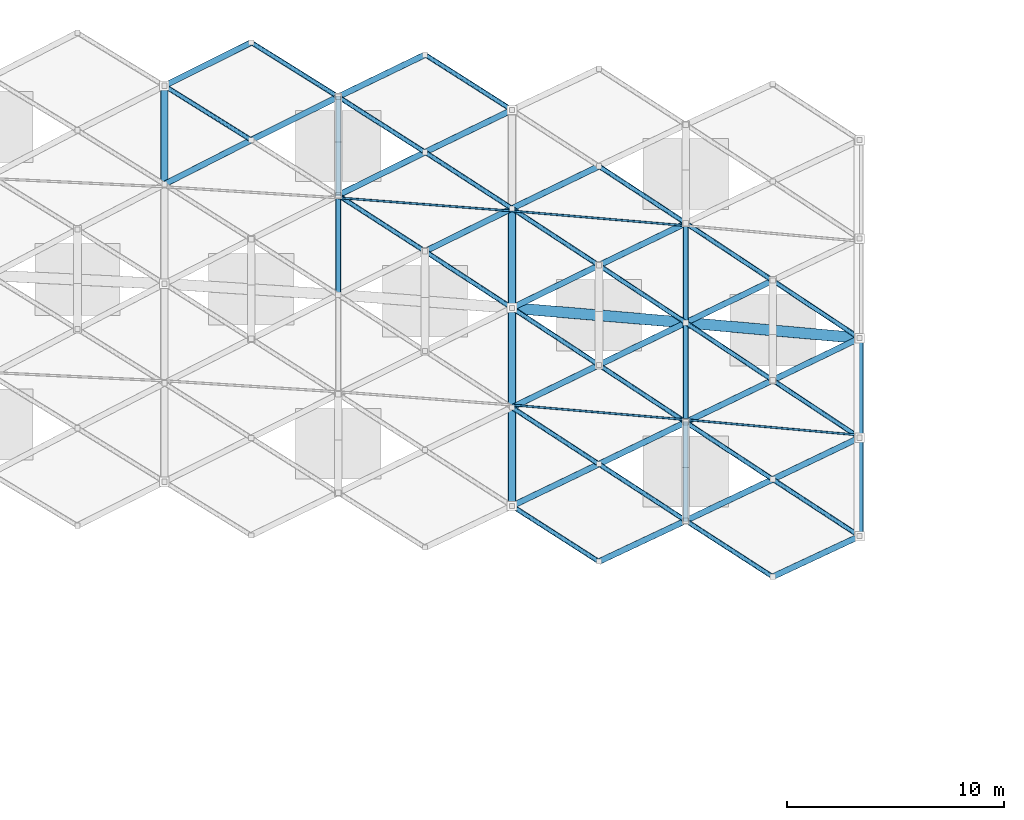
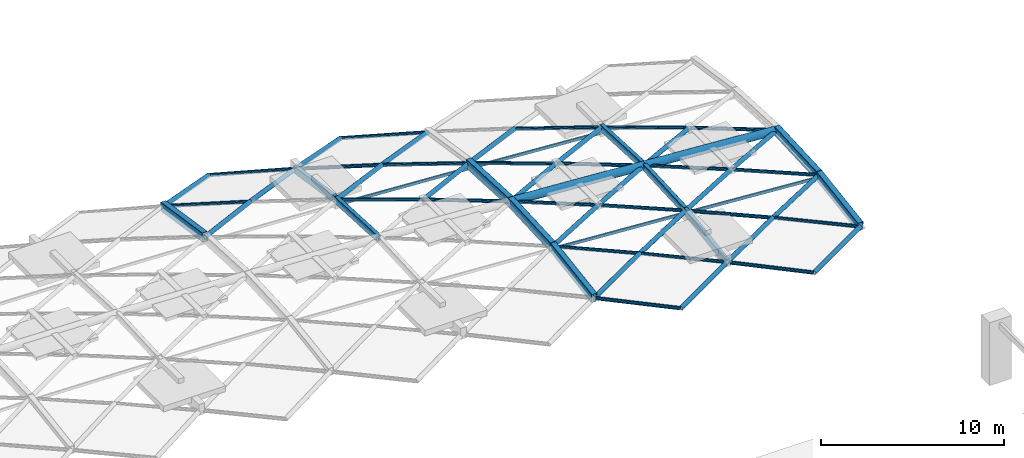
# One storey, part 7 of 27: 49 members, 11 beams.
"""IFC4 building model written with IfcOpenShell, lengths in metres."""

from ifc_helpers import new_model, si_unit, direction, frame, origin, origin_2d, place, context, subcontext, project, spatial, hollow_rectangle, hollow_circle, extrude, material, material_profile, profile_set, type_object, element, save


model = new_model("IFC4")

# Units and contexts
model_context = context("Model", 3, precision=1e-05, world=origin(), true_north=direction((0.0, 1.0)))
body_context = subcontext(model_context, "Body", "Model", "MODEL_VIEW")
ifc_project = project(units=[si_unit("LENGTHUNIT", "METRE"), si_unit("AREAUNIT", "SQUARE_METRE"), si_unit("VOLUMEUNIT", "CUBIC_METRE"), si_unit("PLANEANGLEUNIT", "RADIAN"), si_unit("MASSUNIT", "GRAM", prefix="KILO")], contexts=[model_context])

# Site, building, storey
site_placement = place(None, origin())
site = spatial("IfcSite", under=ifc_project, at=site_placement, CompositionType="ELEMENT")
building_placement = place(site_placement, origin())
building = spatial("IfcBuilding", under=site, at=building_placement, Name="Kenh Van Central Station", CompositionType="ELEMENT")
storey_placement = place(building_placement, frame((0.0, 0.0, 19.199951171875)))
storey = spatial("IfcBuildingStorey", under=building, at=storey_placement, Name="L04", CompositionType="ELEMENT", Elevation=19.199951171875)

# Beams
ifc_material = material(Name="White fluoropolymer structural steel S355", Category="steel")
ifc_material_profile_1 = material_profile(ifc_material, hollow_rectangle(XDim=0.35009765625, YDim=0.60009765625, WallThickness=0.01611328125, InnerFilletRadius=0.01611328125, OuterFilletRadius=0.031982421875, at=origin_2d()), Name="RHS 600x350x16")
ifc_profile_set_1 = profile_set([ifc_material_profile_1], Name="White fluoropolymer structural steel S355")
beam_type_1 = type_object("IfcBeamType", Name="BM-VAULT-ARCH600", PredefinedType="BEAM", material=ifc_profile_set_1)
for number, where, z_axis, x_axis, name in (
    (1, (112.0, 95.08203125, 1.7744140625), (0.0, 0.988526901782, -0.151044908728), (-1.0, 0.0, 0.0), "Vault transverse arch 125"),
    (2, (128.0, 80.275390625, 1.081787109375), (0.0, 0.988525687015, 0.15105285867), (-1.0, 0.0, 0.0), "Vault transverse arch 146"),
):
    element("IfcBeam", number, at=place(storey_placement, frame(where, z_axis=z_axis, x_axis=x_axis)), inside=storey, type_object=beam_type_1, Name=name, PredefinedType="BEAM", context=body_context, shape_type="SweptSolid", body=[
        extrude(hollow_rectangle(XDim=0.35009765625, YDim=0.60009765625, WallThickness=0.01611328125, InnerFilletRadius=0.01611328125, OuterFilletRadius=0.031982421875, at=origin_2d()), origin(), (0.0, 0.0, 1.0), 4.58544921875),
    ])
beam_1_placement = place(storey_placement, frame((128.0, 84.80810546875, 1.7744140625), z_axis=(0.0, 0.998789366283, 0.049191480968), x_axis=(-1.0, 0.0, 0.0)))
element("IfcBeam", 3, at=beam_1_placement, inside=storey, type_object=beam_type_1, Name="Vault transverse arch 147", PredefinedType="BEAM", context=body_context, shape_type="SweptSolid", body=[
    extrude(hollow_rectangle(XDim=0.35009765625, YDim=0.60009765625, WallThickness=0.01611328125, InnerFilletRadius=0.01611328125, OuterFilletRadius=0.031982421875, at=origin_2d()), origin(), (0.0, 0.0, 1.0), 4.5859375),
])
beam_2_placement = place(storey_placement, frame((128.0, 89.388427734375, 2.0), z_axis=(0.0, 0.998789237449, -0.04919409677), x_axis=(-1.0, 0.0, 0.0)))
element("IfcBeam", 4, at=beam_2_placement, inside=storey, type_object=beam_type_1, Name="Vault transverse arch 148", PredefinedType="BEAM", context=body_context, shape_type="SweptSolid", body=[
    extrude(hollow_rectangle(XDim=0.35009765625, YDim=0.60009765625, WallThickness=0.01611328125, InnerFilletRadius=0.01611328125, OuterFilletRadius=0.031982421875, at=origin_2d()), origin(), (0.0, 0.0, 1.0), 4.585693359375),
])
beam_3_placement = place(storey_placement, frame((144.0, 78.886962890625, 1.081787109375), z_axis=(0.0, 0.988525687015, 0.15105285867), x_axis=(-1.0, 0.0, 0.0)))
element("IfcBeam", 5, at=beam_3_placement, inside=storey, type_object=beam_type_1, Name="Vault transverse arch 170", PredefinedType="BEAM", context=body_context, shape_type="SweptSolid", body=[
    extrude(hollow_rectangle(XDim=0.35009765625, YDim=0.60009765625, WallThickness=0.01611328125, InnerFilletRadius=0.01611328125, OuterFilletRadius=0.031982421875, at=origin_2d()), origin(), (0.0, 0.0, 1.0), 4.58544921875),
])
beam_4_placement = place(storey_placement, frame((144.0, 83.419677734375, 1.7744140625), z_axis=(0.0, 0.998789366283, 0.049191480968), x_axis=(-1.0, 0.0, 0.0)))
element("IfcBeam", 6, at=beam_4_placement, inside=storey, type_object=beam_type_1, Name="Vault transverse arch 171", PredefinedType="BEAM", context=body_context, shape_type="SweptSolid", body=[
    extrude(hollow_rectangle(XDim=0.35009765625, YDim=0.60009765625, WallThickness=0.01611328125, InnerFilletRadius=0.01611328125, OuterFilletRadius=0.031982421875, at=origin_2d()), origin(), (0.0, 0.0, 1.0), 4.5859375),
])
ifc_material_profile_2 = material_profile(ifc_material, hollow_rectangle(XDim=0.25, YDim=0.449951171875, WallThickness=0.012451171875, InnerFilletRadius=0.012451171875, OuterFilletRadius=0.02490234375, at=origin_2d()), Name="RHS 450x250x12.5")
ifc_profile_set_2 = profile_set([ifc_material_profile_2], Name="White fluoropolymer structural steel S355")
beam_type_2 = type_object("IfcBeamType", Name="BM-VAULT-SUB450", PredefinedType="BEAM", material=ifc_profile_set_2)
beam_5_placement = place(storey_placement, frame((120.0, 89.9951171875, 2.0), z_axis=(0.0, 0.998789366283, -0.049191480968), x_axis=(-1.0, 0.0, 0.0)))
element("IfcBeam", 7, at=beam_5_placement, inside=storey, type_object=beam_type_2, Name="Vault transverse arch 136", PredefinedType="BEAM", context=body_context, shape_type="SweptSolid", body=[
    extrude(hollow_rectangle(XDim=0.25, YDim=0.449951171875, WallThickness=0.012451171875, InnerFilletRadius=0.012451171875, OuterFilletRadius=0.02490234375, at=origin_2d()), origin(), (0.0, 0.0, 1.0), 4.5859375),
])
for number, where, z_axis, x_axis, name in (
    (8, (120.0, 94.575439453125, 1.7744140625), (0.0, 0.988525687015, -0.15105285867), (-1.0, 0.0, 0.0), "Vault transverse arch 137"),
    (9, (136.0, 79.59912109375, 1.081787109375), (0.0, 0.988525687015, 0.15105285867), (-1.0, 0.0, 0.0), "Vault transverse arch 158"),
):
    element("IfcBeam", number, at=place(storey_placement, frame(where, z_axis=z_axis, x_axis=x_axis)), inside=storey, type_object=beam_type_2, Name=name, PredefinedType="BEAM", context=body_context, shape_type="SweptSolid", body=[
        extrude(hollow_rectangle(XDim=0.25, YDim=0.449951171875, WallThickness=0.012451171875, InnerFilletRadius=0.012451171875, OuterFilletRadius=0.02490234375, at=origin_2d()), origin(), (0.0, 0.0, 1.0), 4.58544921875),
    ])
beam_6_placement = place(storey_placement, frame((136.0, 84.1318359375, 1.7744140625), z_axis=(0.0, 0.998789366283, 0.049191480968), x_axis=(-1.0, 0.0, 0.0)))
element("IfcBeam", 10, at=beam_6_placement, inside=storey, type_object=beam_type_2, Name="Vault transverse arch 159", PredefinedType="BEAM", context=body_context, shape_type="SweptSolid", body=[
    extrude(hollow_rectangle(XDim=0.25, YDim=0.449951171875, WallThickness=0.012451171875, InnerFilletRadius=0.012451171875, OuterFilletRadius=0.02490234375, at=origin_2d()), origin(), (0.0, 0.0, 1.0), 4.5859375),
])
beam_7_placement = place(storey_placement, frame((136.0, 88.712158203125, 2.0), z_axis=(0.0, 0.998789237449, -0.04919409677), x_axis=(-1.0, 0.0, 0.0)))
element("IfcBeam", 11, at=beam_7_placement, inside=storey, type_object=beam_type_2, Name="Vault transverse arch 160", PredefinedType="BEAM", context=body_context, shape_type="SweptSolid", body=[
    extrude(hollow_rectangle(XDim=0.25, YDim=0.449951171875, WallThickness=0.012451171875, InnerFilletRadius=0.012451171875, OuterFilletRadius=0.02490234375, at=origin_2d()), origin(), (0.0, 0.0, 1.0), 4.585693359375),
])

# Members
ifc_material_profile_3 = material_profile(ifc_material, hollow_rectangle(XDim=0.10009765625, YDim=0.199951171875, WallThickness=0.008056640625, InnerFilletRadius=0.008056640625, OuterFilletRadius=0.01611328125, at=origin_2d()), Name="RHS 200x100x8")
ifc_profile_set_3 = profile_set([ifc_material_profile_3], Name="White fluoropolymer structural steel S355")
member_type_1 = type_object("IfcMemberType", Name="MEM-PUR-RHS200", PredefinedType="PURLIN", material=ifc_profile_set_3)
member_1_placement = place(storey_placement, frame((128.0, 84.923095703125, 1.51904296875), z_axis=(0.996446063383, -0.084233264025, 0.0), x_axis=(0.084233264025, 0.996446063383, 0.0)))
element("IfcMember", 12, at=member_1_placement, inside=storey, type_object=member_type_1, Name="Vault longitudinal purlin 027", PredefinedType="PURLIN", context=body_context, shape_type="SweptSolid", body=[
    extrude(hollow_rectangle(XDim=0.10009765625, YDim=0.199951171875, WallThickness=0.008056640625, InnerFilletRadius=0.008056640625, OuterFilletRadius=0.01611328125, at=origin_2d()), origin(), (0.0, 0.0, 1.0), 8.028564453125),
])
member_2_placement = place(storey_placement, frame((136.0, 84.246826171875, 1.51904296875), z_axis=(0.99606113461, -0.088669138478, 0.0), x_axis=(0.088669138478, 0.99606113461, 0.0)))
element("IfcMember", 13, at=member_2_placement, inside=storey, type_object=member_type_1, Name="Vault longitudinal purlin 028", PredefinedType="PURLIN", context=body_context, shape_type="SweptSolid", body=[
    extrude(hollow_rectangle(XDim=0.10009765625, YDim=0.199951171875, WallThickness=0.008056640625, InnerFilletRadius=0.008056640625, OuterFilletRadius=0.01611328125, at=origin_2d()), origin(), (0.0, 0.0, 1.0), 8.03173828125),
])
member_3_placement = place(storey_placement, frame((120.0, 94.46044921875, 1.51904296875), z_axis=(0.997136780926, -0.075619046039, 0.0), x_axis=(0.075619046039, 0.997136780926, 0.0)))
element("IfcMember", 14, at=member_3_placement, inside=storey, type_object=member_type_1, Name="Vault longitudinal purlin 040", PredefinedType="PURLIN", context=body_context, shape_type="SweptSolid", body=[
    extrude(hollow_rectangle(XDim=0.10009765625, YDim=0.199951171875, WallThickness=0.008056640625, InnerFilletRadius=0.008056640625, OuterFilletRadius=0.01611328125, at=origin_2d()), origin(), (0.0, 0.0, 1.0), 8.02294921875),
])
member_4_placement = place(storey_placement, frame((128.0, 93.853759765625, 1.51904296875), z_axis=(0.996446063383, -0.084233264025, 0.0), x_axis=(0.084233264025, 0.996446063383, 0.0)))
element("IfcMember", 15, at=member_4_placement, inside=storey, type_object=member_type_1, Name="Vault longitudinal purlin 041", PredefinedType="PURLIN", context=body_context, shape_type="SweptSolid", body=[
    extrude(hollow_rectangle(XDim=0.10009765625, YDim=0.199951171875, WallThickness=0.008056640625, InnerFilletRadius=0.008056640625, OuterFilletRadius=0.01611328125, at=origin_2d()), origin(), (0.0, 0.0, 1.0), 8.028564453125),
])
ifc_material_profile_4 = material_profile(ifc_material, hollow_circle(Radius=0.109619140625, WallThickness=0.008056640625, at=origin_2d()), Name="CHS 219.1x8")
ifc_profile_set_4 = profile_set([ifc_material_profile_4], Name="White fluoropolymer structural steel S355")
member_type_2 = type_object("IfcMemberType", Name="MEM-VAULT-BRC219", PredefinedType="BRACE", material=ifc_profile_set_4)
member_5_placement = place(storey_placement, frame((112.0, 99.614990234375, 1.081787109375), z_axis=(0.845200735682, -0.527476655417, 0.086047047554), x_axis=(0.529440309956, 0.848347192011, 0.0)))
element("IfcMember", 16, at=member_5_placement, inside=storey, type_object=member_type_2, Name="Vault diamond grid member 0481", PredefinedType="BRACE", context=body_context, shape_type="SweptSolid", body=[
    extrude(hollow_circle(Radius=0.109619140625, WallThickness=0.008056640625, at=origin_2d()), origin(), (0.0, 0.0, 1.0), 4.732666015625),
])
member_6_placement = place(storey_placement, frame((116.0, 101.605712890625, 0.545654296875), z_axis=(0.842801507338, -0.526236536869, 0.112963385627), x_axis=(0.52962659657, 0.848230905005, 0.0)))
element("IfcMember", 17, at=member_6_placement, inside=storey, type_object=member_type_2, Name="Vault diamond grid member 0506", PredefinedType="BRACE", context=body_context, shape_type="SweptSolid", body=[
    extrude(hollow_circle(Radius=0.109619140625, WallThickness=0.008056640625, at=origin_2d()), origin(), (0.0, 0.0, 1.0), 4.74609375),
])
member_7_placement = place(storey_placement, frame((120.0, 94.575439453125, 1.7744140625), z_axis=(0.839819026097, -0.541699674548, 0.035573388923), x_axis=(0.542042751457, 0.840350912175, 0.0)))
element("IfcMember", 18, at=member_7_placement, inside=storey, type_object=member_type_2, Name="Vault diamond grid member 0527", PredefinedType="BRACE", context=body_context, shape_type="SweptSolid", body=[
    extrude(hollow_circle(Radius=0.109619140625, WallThickness=0.008056640625, at=origin_2d()), origin(), (0.0, 0.0, 1.0), 4.762939453125),
])
member_8_placement = place(storey_placement, frame((120.0, 99.108154296875, 1.081787109375), z_axis=(0.840155619586, -0.535558184262, 0.085533421232), x_axis=(0.53752806232, 0.843245861074, 0.0)))
element("IfcMember", 19, at=member_8_placement, inside=storey, type_object=member_type_2, Name="Vault diamond grid member 0529", PredefinedType="BRACE", context=body_context, shape_type="SweptSolid", body=[
    extrude(hollow_circle(Radius=0.109619140625, WallThickness=0.008056640625, at=origin_2d()), origin(), (0.0, 0.0, 1.0), 4.760986328125),
])
member_9_placement = place(storey_placement, frame((124.0, 91.995361328125, 1.94384765625), z_axis=(0.837721487576, -0.545971072042, 0.011760006234), x_axis=(0.546008829243, 0.837779421082, 0.0)))
element("IfcMember", 20, at=member_9_placement, inside=storey, type_object=member_type_2, Name="Vault diamond grid member 0550", PredefinedType="BRACE", context=body_context, shape_type="SweptSolid", body=[
    extrude(hollow_circle(Radius=0.109619140625, WallThickness=0.008056640625, at=origin_2d()), origin(), (0.0, 0.0, 1.0), 4.77490234375),
])
member_10_placement = place(storey_placement, frame((124.0, 96.558349609375, 1.489013671875), z_axis=(0.837914674144, -0.542517020466, 0.059785293828), x_axis=(0.543489181563, 0.839416171826, 0.0)))
element("IfcMember", 21, at=member_10_placement, inside=storey, type_object=member_type_2, Name="Vault diamond grid member 0552", PredefinedType="BRACE", context=body_context, shape_type="SweptSolid", body=[
    extrude(hollow_circle(Radius=0.109619140625, WallThickness=0.008056640625, at=origin_2d()), origin(), (0.0, 0.0, 1.0), 4.773681640625),
])
member_11_placement = place(storey_placement, frame((124.0, 101.04541015625, 0.545654296875), z_axis=(0.838460265103, -0.533249265282, 0.112381515025), x_axis=(0.53664886486, 0.843805662368, 0.0)))
element("IfcMember", 22, at=member_11_placement, inside=storey, type_object=member_type_2, Name="Vault diamond grid member 0554", PredefinedType="BRACE", context=body_context, shape_type="SweptSolid", body=[
    extrude(hollow_circle(Radius=0.109619140625, WallThickness=0.008056640625, at=origin_2d()), origin(), (0.0, 0.0, 1.0), 4.770751953125),
])
member_12_placement = place(storey_placement, frame((128.0, 80.275390625, 1.081787109375), z_axis=(0.836812013258, -0.535878396185, -0.11216059455), x_axis=(0.539281210442, 0.842125748368, 0.0)))
element("IfcMember", 23, at=member_12_placement, inside=storey, type_object=member_type_2, Name="Vault diamond grid member 0569", PredefinedType="BRACE", context=body_context, shape_type="SweptSolid", body=[
    extrude(hollow_circle(Radius=0.109619140625, WallThickness=0.008056640625, at=origin_2d()), origin(), (0.0, 0.0, 1.0), 4.780029296875),
])
member_13_placement = place(storey_placement, frame((128.0, 84.80810546875, 1.7744140625), z_axis=(0.836263408069, -0.545071834397, -0.059667475832), x_axis=(0.546044717382, 0.837756030488, 0.0)))
element("IfcMember", 24, at=member_13_placement, inside=storey, type_object=member_type_2, Name="Vault diamond grid member 0571", PredefinedType="BRACE", context=body_context, shape_type="SweptSolid", body=[
    extrude(hollow_circle(Radius=0.109619140625, WallThickness=0.008056640625, at=origin_2d()), origin(), (0.0, 0.0, 1.0), 4.783203125),
])
member_14_placement = place(storey_placement, frame((128.0, 89.388427734375, 2.0), z_axis=(0.836037139369, -0.548547317396, -0.011736361209), x_axis=(0.548585100349, 0.836094724104, 0.0)))
element("IfcMember", 25, at=member_14_placement, inside=storey, type_object=member_type_2, Name="Vault diamond grid member 0573", PredefinedType="BRACE", context=body_context, shape_type="SweptSolid", body=[
    extrude(hollow_circle(Radius=0.109619140625, WallThickness=0.008056640625, at=origin_2d()), origin(), (0.0, 0.0, 1.0), 4.784423828125),
])
member_15_placement = place(storey_placement, frame((128.0, 93.968505859375, 1.7744140625), z_axis=(0.836131510541, -0.54738443494, 0.03541719167), x_axis=(0.547728071612, 0.836656416678, 0.0)))
element("IfcMember", 26, at=member_15_placement, inside=storey, type_object=member_type_2, Name="Vault diamond grid member 0575", PredefinedType="BRACE", context=body_context, shape_type="SweptSolid", body=[
    extrude(hollow_circle(Radius=0.109619140625, WallThickness=0.008056640625, at=origin_2d()), origin(), (0.0, 0.0, 1.0), 4.783935546875),
])
member_16_placement = place(storey_placement, frame((132.0, 82.200927734375, 1.489013671875), z_axis=(0.835234508798, -0.543279672868, -0.085032419475), x_axis=(0.54525448371, 0.838270569682, 0.0)))
element("IfcMember", 27, at=member_16_placement, inside=storey, type_object=member_type_2, Name="Vault diamond grid member 0594", PredefinedType="BRACE", context=body_context, shape_type="SweptSolid", body=[
    extrude(hollow_circle(Radius=0.109619140625, WallThickness=0.008056640625, at=origin_2d()), origin(), (0.0, 0.0, 1.0), 4.7890625),
])
member_17_placement = place(storey_placement, frame((132.0, 86.763916015625, 1.94384765625), z_axis=(0.834846536416, -0.549345734198, -0.035362762224), x_axis=(0.549689541961, 0.835369024718, 0.0)))
element("IfcMember", 28, at=member_17_placement, inside=storey, type_object=member_type_2, Name="Vault diamond grid member 0596", PredefinedType="BRACE", context=body_context, shape_type="SweptSolid", body=[
    extrude(hollow_circle(Radius=0.109619140625, WallThickness=0.008056640625, at=origin_2d()), origin(), (0.0, 0.0, 1.0), 4.791259765625),
])
member_18_placement = place(storey_placement, frame((132.0, 91.349853515625, 1.94384765625), z_axis=(0.834773152084, -0.550469307563, 0.011718617247), x_axis=(0.550507108328, 0.834830476013, 0.0)))
element("IfcMember", 29, at=member_18_placement, inside=storey, type_object=member_type_2, Name="Vault diamond grid member 0598", PredefinedType="BRACE", context=body_context, shape_type="SweptSolid", body=[
    extrude(hollow_circle(Radius=0.109619140625, WallThickness=0.008056640625, at=origin_2d()), origin(), (0.0, 0.0, 1.0), 4.791748046875),
])
member_19_placement = place(storey_placement, frame((132.0, 95.912841796875, 1.489013671875), z_axis=(0.834983432637, -0.547040537471, 0.05957614946), x_axis=(0.548013939724, 0.836469199593, 0.0)))
element("IfcMember", 30, at=member_19_placement, inside=storey, type_object=member_type_2, Name="Vault diamond grid member 0600", PredefinedType="BRACE", context=body_context, shape_type="SweptSolid", body=[
    extrude(hollow_circle(Radius=0.109619140625, WallThickness=0.008056640625, at=origin_2d()), origin(), (0.0, 0.0, 1.0), 4.79052734375),
])
member_20_placement = place(storey_placement, frame((136.0, 79.59912109375, 1.081787109375), z_axis=(0.83472657669, -0.539179160224, -0.111881076807), x_axis=(0.542585728731, 0.840000432725, 0.0)))
element("IfcMember", 31, at=member_20_placement, inside=storey, type_object=member_type_2, Name="Vault diamond grid member 0617", PredefinedType="BRACE", context=body_context, shape_type="SweptSolid", body=[
    extrude(hollow_circle(Radius=0.109619140625, WallThickness=0.008056640625, at=origin_2d()), origin(), (0.0, 0.0, 1.0), 4.7919921875),
])
member_21_placement = place(storey_placement, frame((136.0, 84.1318359375, 1.7744140625), z_axis=(0.834145264507, -0.54832424919, -0.059516346082), x_axis=(0.549297972625, 0.835626553713, 0.0)))
element("IfcMember", 32, at=member_21_placement, inside=storey, type_object=member_type_2, Name="Vault diamond grid member 0619", PredefinedType="BRACE", context=body_context, shape_type="SweptSolid", body=[
    extrude(hollow_circle(Radius=0.109619140625, WallThickness=0.008056640625, at=origin_2d()), origin(), (0.0, 0.0, 1.0), 4.79541015625),
])
member_22_placement = place(storey_placement, frame((136.0, 88.712158203125, 2.0), z_axis=(0.833906752318, -0.551781195183, -0.011706454653), x_axis=(0.551819007415, 0.833963897933, 0.0)))
element("IfcMember", 33, at=member_22_placement, inside=storey, type_object=member_type_2, Name="Vault diamond grid member 0621", PredefinedType="BRACE", context=body_context, shape_type="SweptSolid", body=[
    extrude(hollow_circle(Radius=0.109619140625, WallThickness=0.008056640625, at=origin_2d()), origin(), (0.0, 0.0, 1.0), 4.796630859375),
])
member_23_placement = place(storey_placement, frame((136.0, 93.292236328125, 1.7744140625), z_axis=(0.833981747272, -0.55066006726, 0.035326131141), x_axis=(0.551003983317, 0.834502612559, 0.0)))
element("IfcMember", 34, at=member_23_placement, inside=storey, type_object=member_type_2, Name="Vault diamond grid member 0623", PredefinedType="BRACE", context=body_context, shape_type="SweptSolid", body=[
    extrude(hollow_circle(Radius=0.109619140625, WallThickness=0.008056640625, at=origin_2d()), origin(), (0.0, 0.0, 1.0), 4.79638671875),
])
member_24_placement = place(storey_placement, frame((140.0, 81.50244140625, 1.489013671875), z_axis=(0.833938713525, -0.545287197143, -0.084900498911), x_axis=(0.547263126479, 0.836960614603, 0.0)))
element("IfcMember", 35, at=member_24_placement, inside=storey, type_object=member_type_2, Name="Vault diamond grid member 0642", PredefinedType="BRACE", context=body_context, shape_type="SweptSolid", body=[
    extrude(hollow_circle(Radius=0.109619140625, WallThickness=0.008056640625, at=origin_2d()), origin(), (0.0, 0.0, 1.0), 4.796630859375),
])
member_25_placement = place(storey_placement, frame((140.0, 86.0654296875, 1.94384765625), z_axis=(0.833537561667, -0.551333407946, -0.03530731615), x_axis=(0.5516773775, 0.834057594627, 0.0)))
element("IfcMember", 36, at=member_25_placement, inside=storey, type_object=member_type_2, Name="Vault diamond grid member 0644", PredefinedType="BRACE", context=body_context, shape_type="SweptSolid", body=[
    extrude(hollow_circle(Radius=0.109619140625, WallThickness=0.008056640625, at=origin_2d()), origin(), (0.0, 0.0, 1.0), 4.798828125),
])
member_26_placement = place(storey_placement, frame((140.0, 90.651123046875, 1.94384765625), z_axis=(0.833485167076, -0.552417933916, 0.011700536403), x_axis=(0.552455751512, 0.833542226058, 0.0)))
element("IfcMember", 37, at=member_26_placement, inside=storey, type_object=member_type_2, Name="Vault diamond grid member 0646", PredefinedType="BRACE", context=body_context, shape_type="SweptSolid", body=[
    extrude(hollow_circle(Radius=0.109619140625, WallThickness=0.008056640625, at=origin_2d()), origin(), (0.0, 0.0, 1.0), 4.799072265625),
])
ifc_material_profile_5 = material_profile(ifc_material, hollow_circle(Radius=0.136474609375, WallThickness=0.010009765625, at=origin_2d()), Name="CHS 273x10")
ifc_profile_set_5 = profile_set([ifc_material_profile_5], Name="White fluoropolymer structural steel S355")
member_type_3 = type_object("IfcMemberType", Name="MEM-VAULT-CHD273", PredefinedType="CHORD", material=ifc_profile_set_5)
member_27_placement = place(storey_placement, frame((112.0, 95.08203125, 1.7744140625), z_axis=(0.889344023123, 0.452814199273, -0.0634547829), x_axis=(-0.453728591891, 0.891139924423, 0.0)))
element("IfcMember", 38, at=member_27_placement, inside=storey, type_object=member_type_3, Name="Vault diamond grid member 0478", PredefinedType="CHORD", context=body_context, shape_type="SweptSolid", body=[
    extrude(hollow_circle(Radius=0.136474609375, WallThickness=0.010009765625, at=origin_2d()), origin(), (0.0, 0.0, 1.0), 4.497802734375),
])
member_28_placement = place(storey_placement, frame((112.0, 99.614990234375, 1.081787109375), z_axis=(0.888879778757, 0.442378278564, -0.11913940394), x_axis=(-0.445551704328, 0.895256208451, 0.0)))
element("IfcMember", 39, at=member_28_placement, inside=storey, type_object=member_type_3, Name="Vault diamond grid member 0480", PredefinedType="CHORD", context=body_context, shape_type="SweptSolid", body=[
    extrude(hollow_circle(Radius=0.136474609375, WallThickness=0.010009765625, at=origin_2d()), origin(), (0.0, 0.0, 1.0), 4.5),
])
member_29_placement = place(storey_placement, frame((116.0, 97.11865234375, 1.489013671875), z_axis=(0.891668368225, 0.443493990031, -0.090777761121), x_axis=(-0.445332690578, 0.895365173939, 0.0)))
element("IfcMember", 40, at=member_29_placement, inside=storey, type_object=member_type_3, Name="Vault diamond grid member 0503", PredefinedType="CHORD", context=body_context, shape_type="SweptSolid", body=[
    extrude(hollow_circle(Radius=0.136474609375, WallThickness=0.010009765625, at=origin_2d()), origin(), (0.0, 0.0, 1.0), 4.486083984375),
])
member_30_placement = place(storey_placement, frame((120.0, 94.575439453125, 1.7744140625), z_axis=(0.894128019528, 0.443243882727, -0.063796121511), x_axis=(-0.444148634522, 0.895953118445, 0.0)))
element("IfcMember", 41, at=member_30_placement, inside=storey, type_object=member_type_3, Name="Vault diamond grid member 0526", PredefinedType="CHORD", context=body_context, shape_type="SweptSolid", body=[
    extrude(hollow_circle(Radius=0.136474609375, WallThickness=0.010009765625, at=origin_2d()), origin(), (0.0, 0.0, 1.0), 4.4736328125),
])
member_31_placement = place(storey_placement, frame((120.0, 99.108154296875, 1.081787109375), z_axis=(0.893525215777, 0.432746739941, -0.119762046744), x_axis=(-0.43588396027, 0.900002873984, 0.0)))
element("IfcMember", 42, at=member_31_placement, inside=storey, type_object=member_type_3, Name="Vault diamond grid member 0528", PredefinedType="CHORD", context=body_context, shape_type="SweptSolid", body=[
    extrude(hollow_circle(Radius=0.136474609375, WallThickness=0.010009765625, at=origin_2d()), origin(), (0.0, 0.0, 1.0), 4.4765625),
])
member_32_placement = place(storey_placement, frame((124.0, 91.995361328125, 1.94384765625), z_axis=(0.896176282917, 0.442071332918, -0.037960592062), x_axis=(-0.442390191411, 0.896822679544, 0.0)))
element("IfcMember", 43, at=member_32_placement, inside=storey, type_object=member_type_3, Name="Vault diamond grid member 0549", PredefinedType="CHORD", context=body_context, shape_type="SweptSolid", body=[
    extrude(hollow_circle(Radius=0.136474609375, WallThickness=0.010009765625, at=origin_2d()), origin(), (0.0, 0.0, 1.0), 4.46337890625),
])
member_33_placement = place(storey_placement, frame((124.0, 96.558349609375, 1.489013671875), z_axis=(0.895737487198, 0.435130289344, -0.091192024454), x_axis=(-0.436950921056, 0.899485348735, 0.0)))
element("IfcMember", 44, at=member_33_placement, inside=storey, type_object=member_type_3, Name="Vault diamond grid member 0551", PredefinedType="CHORD", context=body_context, shape_type="SweptSolid", body=[
    extrude(hollow_circle(Radius=0.136474609375, WallThickness=0.010009765625, at=origin_2d()), origin(), (0.0, 0.0, 1.0), 4.465576171875),
])
member_34_placement = place(storey_placement, frame((128.0, 80.275390625, 1.081787109375), z_axis=(0.897268705184, 0.431931047228, 0.091347912613), x_axis=(-0.433744516041, 0.901035900952, 0.0)))
element("IfcMember", 45, at=member_34_placement, inside=storey, type_object=member_type_3, Name="Vault diamond grid member 0568", PredefinedType="CHORD", context=body_context, shape_type="SweptSolid", body=[
    extrude(hollow_circle(Radius=0.136474609375, WallThickness=0.010009765625, at=origin_2d()), origin(), (0.0, 0.0, 1.0), 4.4580078125),
])
member_35_placement = place(storey_placement, frame((128.0, 84.80810546875, 1.7744140625), z_axis=(0.897712034837, 0.438938666448, 0.038025644054), x_axis=(-0.439256352604, 0.898361762709, 0.0)))
element("IfcMember", 46, at=member_35_placement, inside=storey, type_object=member_type_3, Name="Vault diamond grid member 0570", PredefinedType="CHORD", context=body_context, shape_type="SweptSolid", body=[
    extrude(hollow_circle(Radius=0.136474609375, WallThickness=0.010009765625, at=origin_2d()), origin(), (0.0, 0.0, 1.0), 4.455810546875),
])
member_36_placement = place(storey_placement, frame((128.0, 89.388427734375, 2.0), z_axis=(0.897792495065, 0.440238336508, -0.0126032882), x_axis=(-0.440273305035, 0.897863807531, 0.0)))
element("IfcMember", 47, at=member_36_placement, inside=storey, type_object=member_type_3, Name="Vault diamond grid member 0572", PredefinedType="CHORD", context=body_context, shape_type="SweptSolid", body=[
    extrude(hollow_circle(Radius=0.136474609375, WallThickness=0.010009765625, at=origin_2d()), origin(), (0.0, 0.0, 1.0), 4.455322265625),
])
member_37_placement = place(storey_placement, frame((128.0, 93.968505859375, 1.7744140625), z_axis=(0.897531384433, 0.436275631447, -0.064038951929), x_axis=(-0.437172972807, 0.899377446819, 0.0)))
element("IfcMember", 48, at=member_37_placement, inside=storey, type_object=member_type_3, Name="Vault diamond grid member 0574", PredefinedType="CHORD", context=body_context, shape_type="SweptSolid", body=[
    extrude(hollow_circle(Radius=0.136474609375, WallThickness=0.010009765625, at=origin_2d()), origin(), (0.0, 0.0, 1.0), 4.456787109375),
])
member_38_placement = place(storey_placement, frame((132.0, 77.7138671875, 0.545654296875), z_axis=(0.897989833528, 0.423234710358, 0.120360453761), x_axis=(-0.426334049759, 0.904565795294, 0.0)))
element("IfcMember", 49, at=member_38_placement, inside=storey, type_object=member_type_3, Name="Vault diamond grid member 0591", PredefinedType="CHORD", context=body_context, shape_type="SweptSolid", body=[
    extrude(hollow_circle(Radius=0.136474609375, WallThickness=0.010009765625, at=origin_2d()), origin(), (0.0, 0.0, 1.0), 4.454345703125),
])
member_39_placement = place(storey_placement, frame((132.0, 82.200927734375, 1.489013671875), z_axis=(0.898709411144, 0.433831343551, 0.06412300425), x_axis=(-0.434726008596, 0.90056276708, 0.0)))
element("IfcMember", 50, at=member_39_placement, inside=storey, type_object=member_type_3, Name="Vault diamond grid member 0593", PredefinedType="CHORD", context=body_context, shape_type="SweptSolid", body=[
    extrude(hollow_circle(Radius=0.136474609375, WallThickness=0.010009765625, at=origin_2d()), origin(), (0.0, 0.0, 1.0), 4.450927734375),
])
member_40_placement = place(storey_placement, frame((132.0, 86.763916015625, 1.94384765625), z_axis=(0.89896037554, 0.43784813213, 0.012619683006), x_axis=(-0.437883001353, 0.899031966688, 0.0)))
element("IfcMember", 51, at=member_40_placement, inside=storey, type_object=member_type_3, Name="Vault diamond grid member 0595", PredefinedType="CHORD", context=body_context, shape_type="SweptSolid", body=[
    extrude(hollow_circle(Radius=0.136474609375, WallThickness=0.010009765625, at=origin_2d()), origin(), (0.0, 0.0, 1.0), 4.449462890625),
])
member_41_placement = place(storey_placement, frame((132.0, 91.349853515625, 1.94384765625), z_axis=(0.898897768284, 0.436500893827, -0.038075869824), x_axis=(-0.436817651646, 0.899550075988, 0.0)))
element("IfcMember", 52, at=member_41_placement, inside=storey, type_object=member_type_3, Name="Vault diamond grid member 0597", PredefinedType="CHORD", context=body_context, shape_type="SweptSolid", body=[
    extrude(hollow_circle(Radius=0.136474609375, WallThickness=0.010009765625, at=origin_2d()), origin(), (0.0, 0.0, 1.0), 4.449951171875),
])
member_42_placement = place(storey_placement, frame((136.0, 79.59912109375, 1.081787109375), z_axis=(0.89919518806, 0.427864116584, 0.091544041363), x_axis=(-0.429668281425, 0.902986803856, 0.0)))
element("IfcMember", 53, at=member_42_placement, inside=storey, type_object=member_type_3, Name="Vault diamond grid member 0616", PredefinedType="CHORD", context=body_context, shape_type="SweptSolid", body=[
    extrude(hollow_circle(Radius=0.136474609375, WallThickness=0.010009765625, at=origin_2d()), origin(), (0.0, 0.0, 1.0), 4.448486328125),
])
member_43_placement = place(storey_placement, frame((136.0, 84.1318359375, 1.7744140625), z_axis=(0.899671990143, 0.434900034298, 0.038108664622), x_axis=(-0.435216174887, 0.900325986028, 0.0)))
element("IfcMember", 54, at=member_43_placement, inside=storey, type_object=member_type_3, Name="Vault diamond grid member 0618", PredefinedType="CHORD", context=body_context, shape_type="SweptSolid", body=[
    extrude(hollow_circle(Radius=0.136474609375, WallThickness=0.010009765625, at=origin_2d()), origin(), (0.0, 0.0, 1.0), 4.446044921875),
])
member_44_placement = place(storey_placement, frame((136.0, 88.712158203125, 2.0), z_axis=(0.899780211148, 0.436160549129, -0.012631191929), x_axis=(-0.436195347349, 0.899851998359, 0.0)))
element("IfcMember", 55, at=member_44_placement, inside=storey, type_object=member_type_3, Name="Vault diamond grid member 0620", PredefinedType="CHORD", context=body_context, shape_type="SweptSolid", body=[
    extrude(hollow_circle(Radius=0.136474609375, WallThickness=0.010009765625, at=origin_2d()), origin(), (0.0, 0.0, 1.0), 4.445556640625),
])
member_45_placement = place(storey_placement, frame((140.0, 77.015380859375, 0.545654296875), z_axis=(0.899154385215, 0.420710297672, 0.120516542354), x_axis=(-0.423799235073, 0.905756152809, 0.0)))
element("IfcMember", 56, at=member_45_placement, inside=storey, type_object=member_type_3, Name="Vault diamond grid member 0639", PredefinedType="CHORD", context=body_context, shape_type="SweptSolid", body=[
    extrude(hollow_circle(Radius=0.136474609375, WallThickness=0.010009765625, at=origin_2d()), origin(), (0.0, 0.0, 1.0), 4.44873046875),
])
member_46_placement = place(storey_placement, frame((140.0, 81.50244140625, 1.489013671875), z_axis=(0.899905197116, 0.431332733945, 0.064208323696), x_axis=(-0.432224622277, 0.901765976236, 0.0)))
element("IfcMember", 57, at=member_46_placement, inside=storey, type_object=member_type_3, Name="Vault diamond grid member 0641", PredefinedType="CHORD", context=body_context, shape_type="SweptSolid", body=[
    extrude(hollow_circle(Radius=0.136474609375, WallThickness=0.010009765625, at=origin_2d()), origin(), (0.0, 0.0, 1.0), 4.44482421875),
])
member_47_placement = place(storey_placement, frame((140.0, 86.0654296875, 1.94384765625), z_axis=(0.900167968517, 0.435359557039, 0.0126366353), x_axis=(-0.4353943213, 0.900239848585, 0.0)))
element("IfcMember", 58, at=member_47_placement, inside=storey, type_object=member_type_3, Name="Vault diamond grid member 0643", PredefinedType="CHORD", context=body_context, shape_type="SweptSolid", body=[
    extrude(hollow_circle(Radius=0.136474609375, WallThickness=0.010009765625, at=origin_2d()), origin(), (0.0, 0.0, 1.0), 4.443603515625),
])
ifc_material_profile_6 = material_profile(ifc_material, hollow_circle(Radius=0.25390625, WallThickness=0.01611328125, at=origin_2d()), Name="CHS 508x16")
ifc_profile_set_6 = profile_set([ifc_material_profile_6], Name="White fluoropolymer structural steel S355")
member_type_4 = type_object("IfcMemberType", Name="MEM-VAULT-CHD508", PredefinedType="CHORD", material=ifc_profile_set_6)
member_48_placement = place(storey_placement, frame((128.0, 89.388427734375, 2.0), z_axis=(0.996446063383, -0.084233264025, 0.0), x_axis=(0.084233264025, 0.996446063383, 0.0)))
element("IfcMember", 59, at=member_48_placement, inside=storey, type_object=member_type_4, Name="Vault longitudinal spine chord 13", PredefinedType="CHORD", context=body_context, shape_type="SweptSolid", body=[
    extrude(hollow_circle(Radius=0.25390625, WallThickness=0.01611328125, at=origin_2d()), origin(), (0.0, 0.0, 1.0), 8.028564453125),
])
member_49_placement = place(storey_placement, frame((136.0, 88.712158203125, 2.0), z_axis=(0.99606113461, -0.088669138478, 0.0), x_axis=(0.088669138478, 0.99606113461, 0.0)))
element("IfcMember", 60, at=member_49_placement, inside=storey, type_object=member_type_4, Name="Vault longitudinal spine chord 14", PredefinedType="CHORD", context=body_context, shape_type="SweptSolid", body=[
    extrude(hollow_circle(Radius=0.25390625, WallThickness=0.01611328125, at=origin_2d()), origin(), (0.0, 0.0, 1.0), 8.03173828125),
])

save(model, "model.ifc")
